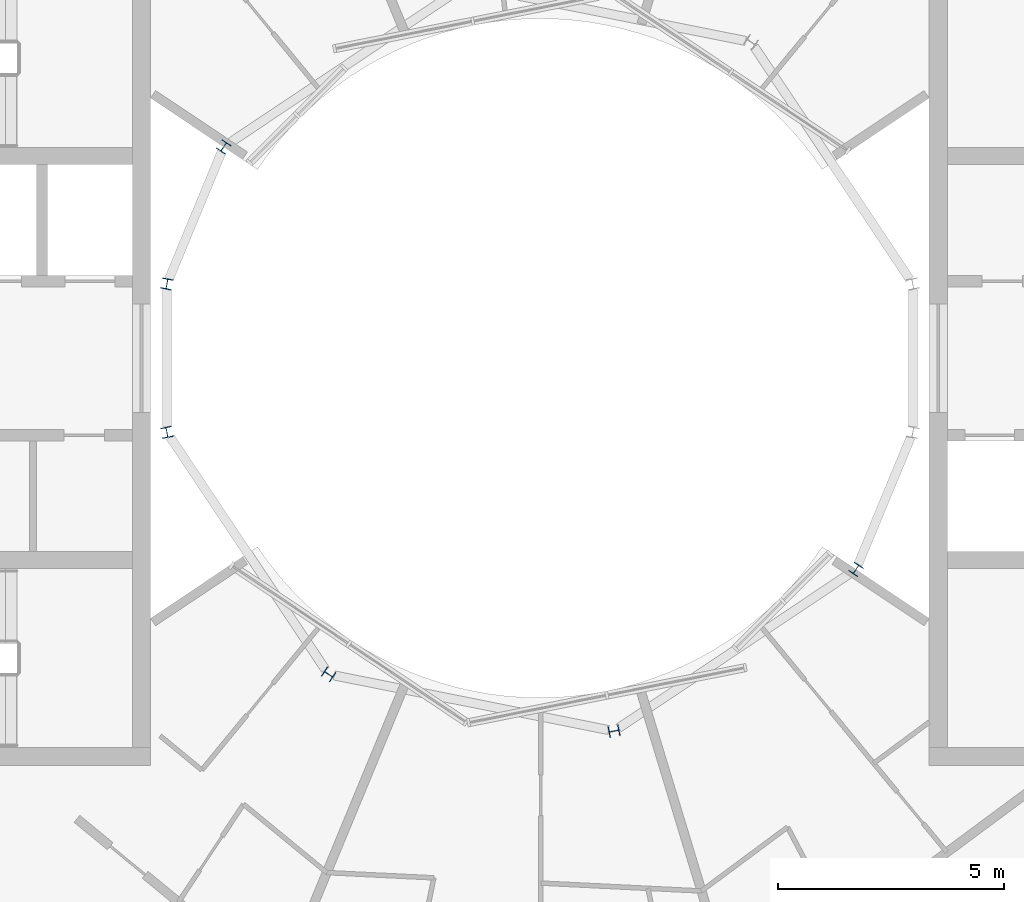
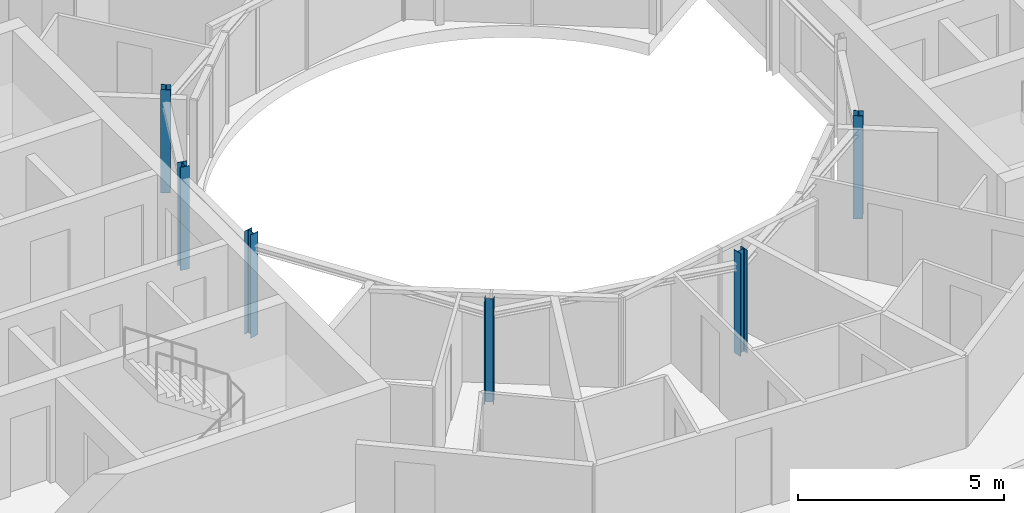
# One storey, part 2 of 22: 6 columns.
"""IFC4 building model written with IfcOpenShell, lengths in metres."""

import ifcopenshell
import ifcopenshell.guid

model = None  # the IFC model being written
_history = None  # IfcOwnerHistory: only IFC2X3 demands one
_inside = {}  # id of a spatial element -> (the spatial element, [elements in it])
_under = {}  # id of a project, library or spatial element -> (it, [spatial elements below it])
_declared = {}  # id of a project -> (the project, [libraries it declares])
_typed = {}  # id of a type object -> (the type object, [elements of that type])
_made_of = {}  # id of a material, layer set ... -> (it, [elements and type objects made of it])


def new_model(schema):
    """Start an empty IFC model of exactly this schema.

    Asked for "IFC4X3", IfcOpenShell would pick the latest addendum, in which some entities
    have other attributes; the version numbers below select the first issue.
    IFC2X3 requires an IfcOwnerHistory on every rooted entity: one is made here for all.
    """
    global model, _history
    if schema == "IFC4X3":
        model = ifcopenshell.file(schema_version=(4, 3, 0, 0))
    else:
        model = ifcopenshell.file(schema=schema)
    _inside.clear()
    _under.clear()
    _declared.clear()
    _typed.clear()
    _made_of.clear()
    _history = None
    if model.schema == "IFC2X3":
        org = make("IfcOrganization", Name="unknown")
        user = make(
            "IfcPersonAndOrganization",
            ThePerson=make("IfcPerson", FamilyName="unknown"),
            TheOrganization=org,
        )
        app = make(
            "IfcApplication",
            ApplicationDeveloper=org,
            Version="unknown",
            ApplicationFullName="unknown",
            ApplicationIdentifier="unknown",
        )
        _history = make(
            "IfcOwnerHistory",
            OwningUser=user,
            OwningApplication=app,
            ChangeAction="ADDED",
            CreationDate=0,
        )
    return model


def make(cls, **values):
    """One entity of the class cls with the attributes given. An attribute that is None is left unset."""
    return model.create_entity(
        cls, **{name: value for name, value in values.items() if value is not None}
    )


def rooted(cls, **values):
    """An entity with a GlobalId (a new one), such as an element, a storey or a relation."""
    return make(cls, GlobalId=ifcopenshell.guid.new(), OwnerHistory=_history, **values)


def si_unit(unit_type, name, prefix=None):
    """IfcSIUnit, for example si_unit("LENGTHUNIT", "METRE", prefix="MILLI")."""
    return make("IfcSIUnit", UnitType=unit_type, Prefix=prefix, Name=name)


def assignment(units):
    """IfcUnitAssignment: the units of a project."""
    return None if units is None else make("IfcUnitAssignment", Units=units)


def point(xyz):
    """IfcCartesianPoint."""
    return None if xyz is None else make("IfcCartesianPoint", Coordinates=xyz)


def direction(xyz):
    """IfcDirection."""
    return None if xyz is None else make("IfcDirection", DirectionRatios=xyz)


def frame(location, z_axis=None, x_axis=None):
    """IfcAxis2Placement3D, a coordinate frame: its origin and axes. An axis left out is left unset."""
    return make(
        "IfcAxis2Placement3D",
        Location=point(location),
        Axis=direction(z_axis),
        RefDirection=direction(x_axis),
    )


def frame_2d(location, x_axis=None):
    """IfcAxis2Placement2D, a coordinate frame in the plane: its origin and x axis."""
    return make(
        "IfcAxis2Placement2D", Location=point(location), RefDirection=direction(x_axis)
    )


def origin():
    """The frame at (0, 0, 0) with its axes left unset."""
    return frame((0.0, 0.0, 0.0))


def origin_2d():
    """The frame at (0, 0) in the plane with its x axis left unset."""
    return frame_2d((0.0, 0.0))


def place(relative_to, where):
    """IfcLocalPlacement: puts the frame where relative to a parent placement (None: the world)."""
    return make(
        "IfcLocalPlacement", PlacementRelTo=relative_to, RelativePlacement=where
    )


def context(
    kind, dimensions, precision=None, world=None, true_north=None, identifier=None
):
    """IfcGeometricRepresentationContext, for example the 3D "Model" context."""
    return make(
        "IfcGeometricRepresentationContext",
        ContextIdentifier=identifier,
        ContextType=kind,
        CoordinateSpaceDimension=dimensions,
        Precision=precision,
        WorldCoordinateSystem=world,
        TrueNorth=true_north,
    )


def subcontext(parent, identifier, kind, view, scale=None):
    """IfcGeometricRepresentationSubContext, for example "Body" below "Model"."""
    return make(
        "IfcGeometricRepresentationSubContext",
        ContextIdentifier=identifier,
        ContextType=kind,
        ParentContext=parent,
        TargetScale=scale,
        TargetView=view,
    )


def project(units=None, contexts=None):
    """IfcProject with its units and contexts."""
    return rooted(
        "IfcProject",
        Name="project",
        RepresentationContexts=contexts,
        UnitsInContext=assignment(units),
    )


def spatial(cls, under=None, at=None, **own):
    """A site, building, storey or space (cls), placed at a placement, below another one or the project."""
    s = rooted(cls, ObjectPlacement=at, **own)
    if under is not None:
        _under.setdefault(under.id(), (under, []))[1].append(s)
    return s


def profile(cls, at=None, kind="AREA", **sizes):
    """A parametric profile (cls). Its sizes go by their IFC names, for example OverallWidth=200.0."""
    return make(cls, ProfileType=kind, Position=at, **sizes)


def i_section(**sizes):
    """IfcIShapeProfileDef."""
    return profile("IfcIShapeProfileDef", **sizes)


def extrude(swept, where, along, depth):
    """IfcExtrudedAreaSolid: the profile swept, set in the frame where, extruded along a direction by depth."""
    return make(
        "IfcExtrudedAreaSolid",
        SweptArea=swept,
        Position=where,
        ExtrudedDirection=direction(along),
        Depth=depth,
    )


def shape(context_of_items, identifier, shape_type, items):
    """IfcShapeRepresentation: the items that make up one representation, for example the "Body"."""
    return make(
        "IfcShapeRepresentation",
        ContextOfItems=context_of_items,
        RepresentationIdentifier=identifier,
        RepresentationType=shape_type,
        Items=items,
    )


def material(Name=None, Category=None):
    """IfcMaterial."""
    return make("IfcMaterial", Name=Name, Category=Category)


def material_profile(
    of_material, cross_section, Name=None, Category=None, Priority=None
):
    """IfcMaterialProfile: a cross section and its material."""
    return make(
        "IfcMaterialProfile",
        Name=Name,
        Material=of_material,
        Profile=cross_section,
        Priority=Priority,
        Category=Category,
    )


def profile_set(profiles, Name=None, composite=None):
    """IfcMaterialProfileSet."""
    return make(
        "IfcMaterialProfileSet",
        Name=Name,
        MaterialProfiles=profiles,
        CompositeProfile=composite,
    )


def made_of(thing, what):
    """Note that an element or type object is made of a material, layer set ...; save() writes the relation."""
    if what is not None:
        _made_of.setdefault(what.id(), (what, []))[1].append(thing)
    return thing


def type_object(cls, material=None, **own):
    """A type object (cls), such as IfcWallType, which elements share."""
    return made_of(rooted(cls, **own), material)


def element(
    cls,
    number,
    at=None,
    inside=None,
    cuts=None,
    type_object=None,
    material=None,
    context=None,
    identifier="Body",
    shape_type=None,
    held_by="IfcProductDefinitionShape",
    body=None,
    shapes=None,
    **own,
):
    """One element of the class cls, such as IfcWall. Its Tag is "e" and its number.

    at: its placement. inside: the storey or other place that contains it. cuts: it is an
    opening in that element (IfcRelVoidsElement). A single representation is given by context,
    identifier, shape_type and body (its items); several are given by shapes. held_by: the class
    of the entity that holds the representations. save() writes the other relations.
    """
    e = rooted(cls, Tag="e%d" % number, ObjectPlacement=at, **own)
    if body is not None:
        shapes = [shape(context, identifier, shape_type, body)]
    if shapes is not None:
        e.Representation = make(held_by, Representations=shapes)
    if inside is not None:
        _inside.setdefault(inside.id(), (inside, []))[1].append(e)
    if cuts is not None:
        rooted(
            "IfcRelVoidsElement", RelatingBuildingElement=cuts, RelatedOpeningElement=e
        )
    if type_object is not None:
        _typed.setdefault(type_object.id(), (type_object, []))[1].append(e)
    return made_of(e, material)


def aggregate(whole, parts):
    """IfcRelAggregates: a whole, such as a stair, and the parts it consists of."""
    return rooted("IfcRelAggregates", RelatingObject=whole, RelatedObjects=parts)


def save(model, path):
    """Write the relations noted so far, then the file.

    IfcRelAggregates (storeys below a building ...), IfcRelContainedInSpatialStructure (elements
    in a storey), IfcRelDefinesByType, IfcRelAssociatesMaterial and IfcRelDeclares: one each for
    every whole, place, type object, material and project.
    """
    for whole, parts in _under.values():
        aggregate(whole, parts)
    for where, things in _inside.values():
        rooted(
            "IfcRelContainedInSpatialStructure",
            RelatedElements=things,
            RelatingStructure=where,
        )
    for kind, things in _typed.values():
        rooted("IfcRelDefinesByType", RelatedObjects=things, RelatingType=kind)
    for what, things in _made_of.values():
        rooted("IfcRelAssociatesMaterial", RelatedObjects=things, RelatingMaterial=what)
    for by, libraries in _declared.values():
        rooted("IfcRelDeclares", RelatingContext=by, RelatedDefinitions=libraries)
    model.write(path)


model = new_model("IFC4")

# Units and contexts
model_context = context("Model", 3, precision=1e-05, world=origin(), true_north=direction((0.0, 1.0)))
body_context = subcontext(model_context, "Body", "Model", "MODEL_VIEW")
ifc_project = project(units=[si_unit("LENGTHUNIT", "METRE"), si_unit("AREAUNIT", "SQUARE_METRE"), si_unit("VOLUMEUNIT", "CUBIC_METRE"), si_unit("PLANEANGLEUNIT", "RADIAN"), si_unit("MASSUNIT", "GRAM", prefix="KILO")], contexts=[model_context])

# Site, building, storey
site_placement = place(None, origin())
site = spatial("IfcSite", under=ifc_project, at=site_placement, CompositionType="ELEMENT")
building_placement = place(site_placement, origin())
building = spatial("IfcBuilding", under=site, at=building_placement, Name="Maasbend Ring Residences", CompositionType="ELEMENT")
storey_placement = place(building_placement, frame((0.0, 0.0, 237.10009765625)))
storey = spatial("IfcBuildingStorey", under=building, at=storey_placement, Name="L68", CompositionType="ELEMENT", Elevation=237.10009765625)

# Columns
ifc_material = material(Name="Steel S355J2", Category="steel")
ifc_material_profile = material_profile(ifc_material, i_section(OverallWidth=0.239990234375, OverallDepth=0.22998046875, WebThickness=0.007568359375, FlangeThickness=0.011962890625, FilletRadius=0.02099609375, at=origin_2d()), Name="HEA 240")
ifc_profile_set = profile_set([ifc_material_profile], Name="Steel S355J2")
column_type = type_object("IfcColumnType", Name="Steel column HEA 240", PredefinedType="COLUMN", material=ifc_profile_set)
for number, where, z_axis, x_axis, name in (
    (1, (-6.984375, 4.666748046875, 0.0), (0.0, 0.0, 1.0), (-0.831469612303, 0.55557023302, 0.0), "Well ring column R7"),
    (2, (-8.238525390625, 1.638916015625, 0.0), (0.0, 0.0, 1.0), (-0.980785280403, 0.195090322016, 0.0), "Well ring column R8"),
    (3, (-8.238525390625, -1.638916015625, 0.0), (0.0, 0.0, 1.0), (-0.980785280403, -0.195090322016, 0.0), "Well ring column R9"),
    (4, (-4.666748046875, -6.984375, 0.0), (0.0, 0.0, 1.0), (-0.55557023302, -0.831469612303, 0.0), "Well ring column R11"),
    (5, (1.638916015625, -8.238525390625, 0.0), (0.0, 0.0, 1.0), (0.195090322016, -0.980785280403, 0.0), "Well ring column R13"),
    (6, (6.984375, -4.666748046875, 0.0), (0.0, 0.0, 1.0), (0.831469612303, -0.55557023302, 0.0), "Well ring column R15"),
):
    element("IfcColumn", number, at=place(storey_placement, frame(where, z_axis=z_axis, x_axis=x_axis)), inside=storey, type_object=column_type, Name=name, PredefinedType="COLUMN", context=body_context, shape_type="SweptSolid", body=[
        extrude(i_section(OverallWidth=0.239990234375, OverallDepth=0.22998046875, WebThickness=0.007568359375, FlangeThickness=0.011962890625, FilletRadius=0.02099609375, at=origin_2d()), origin(), (0.0, 0.0, 1.0), 3.0498046875),
    ])

save(model, "model.ifc")
